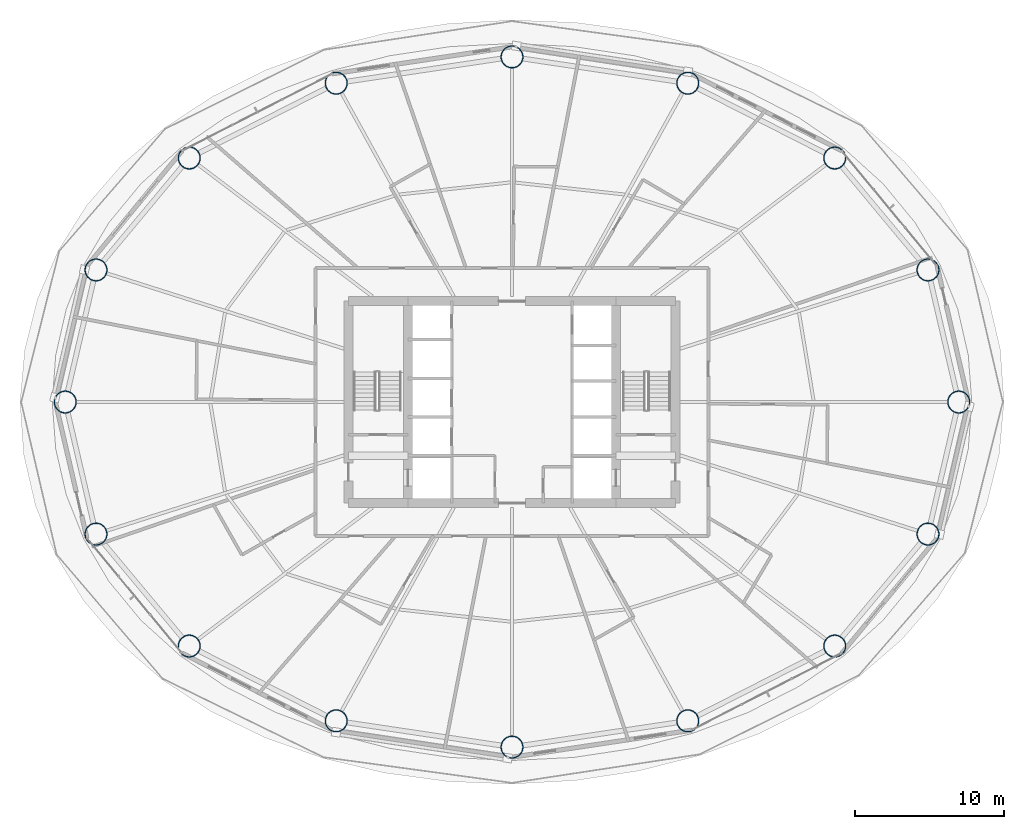
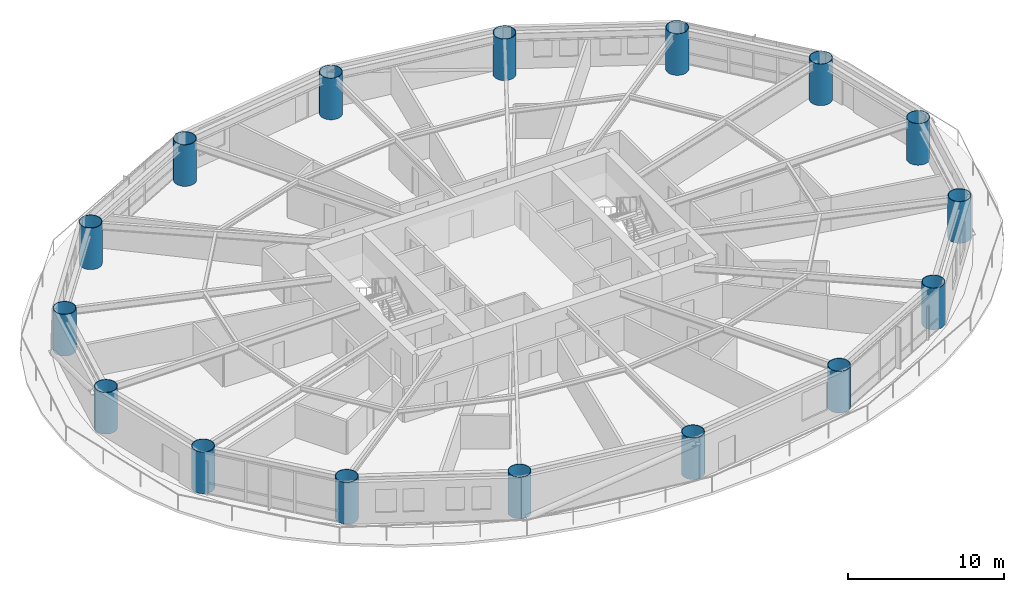
# One storey, part 1 of 27: 16 columns.
"""IFC4 building model written with IfcOpenShell, lengths in metres."""

from ifc_helpers import new_model, si_unit, direction, frame, origin, origin_2d, place, context, subcontext, project, spatial, hollow_circle, extrude, material, material_profile, profile_set, type_object, element, save


model = new_model("IFC4")

# Units and contexts
model_context = context("Model", 3, precision=1e-05, world=origin(), true_north=direction((0.0, 1.0)))
body_context = subcontext(model_context, "Body", "Model", "MODEL_VIEW")
ifc_project = project(units=[si_unit("LENGTHUNIT", "METRE"), si_unit("AREAUNIT", "SQUARE_METRE"), si_unit("VOLUMEUNIT", "CUBIC_METRE"), si_unit("PLANEANGLEUNIT", "RADIAN"), si_unit("MASSUNIT", "GRAM", prefix="KILO")], contexts=[model_context])

# Site, building, storey
site_placement = place(None, origin())
site = spatial("IfcSite", under=ifc_project, at=site_placement, CompositionType="ELEMENT")
building_placement = place(site_placement, origin())
building = spatial("IfcBuilding", under=site, at=building_placement, Name="Sarneth Arch Tower", CompositionType="ELEMENT")
storey_placement = place(building_placement, frame((0.0, 0.0, 75.0)))
storey = spatial("IfcBuildingStorey", under=building, at=storey_placement, Name="L18", CompositionType="ELEMENT", Elevation=75.0)

# Columns
ifc_material = material(Name="Steel S355", Category="steel")
ifc_material_profile = material_profile(ifc_material, hollow_circle(Radius=0.75, WallThickness=0.0400390625, at=origin_2d()), Name="CHS1500x40")
ifc_profile_set = profile_set([ifc_material_profile], Name="Steel S355")
column_type = type_object("IfcColumnType", Name="COL-MEGA-1500", PredefinedType="COLUMN", material=ifc_profile_set)
for number, where, z_axis, x_axis, name in (
    (1, (78.034912109375, 42.0, 0.0), (0.0, 0.0, 1.0), (1.0, 0.0, 0.0), "L18 Perimeter mega-column M01"),
    (2, (75.965576171875, 50.878173828125, 0.0), (0.0, 0.0, 1.0), (1.0, 0.0, 0.0), "L18 Perimeter mega-column M02"),
    (3, (69.696533203125, 58.40478515625, 0.0), (0.0, 0.0, 1.0), (1.0, 0.0, 0.0), "L18 Perimeter mega-column M03"),
    (4, (59.81787109375, 63.43408203125, 0.0), (0.0, 0.0, 1.0), (1.0, 0.0, 0.0), "L18 Perimeter mega-column M04"),
    (5, (48.0, 65.199951171875, 0.0), (0.0, 0.0, 1.0), (1.0, 0.0, 0.0), "L18 Perimeter mega-column M05"),
    (6, (36.18212890625, 63.43408203125, 0.0), (0.0, 0.0, 1.0), (1.0, 0.0, 0.0), "L18 Perimeter mega-column M06"),
    (7, (26.303466796875, 58.40478515625, 0.0), (0.0, 0.0, 1.0), (1.0, 0.0, 0.0), "L18 Perimeter mega-column M07"),
    (8, (20.034423828125, 50.878173828125, 0.0), (0.0, 0.0, 1.0), (1.0, 0.0, 0.0), "L18 Perimeter mega-column M08"),
    (9, (17.965087890625, 42.0, 0.0), (0.0, 0.0, 1.0), (1.0, 0.0, 0.0), "L18 Perimeter mega-column M09"),
    (10, (20.034423828125, 33.121826171875, 0.0), (0.0, 0.0, 1.0), (1.0, 0.0, 0.0), "L18 Perimeter mega-column M10"),
    (11, (26.303466796875, 25.59521484375, 0.0), (0.0, 0.0, 1.0), (1.0, 0.0, 0.0), "L18 Perimeter mega-column M11"),
    (12, (36.18212890625, 20.56591796875, 0.0), (0.0, 0.0, 1.0), (1.0, 0.0, 0.0), "L18 Perimeter mega-column M12"),
    (13, (48.0, 18.800048828125, 0.0), (0.0, 0.0, 1.0), (1.0, 0.0, 0.0), "L18 Perimeter mega-column M13"),
    (14, (59.81787109375, 20.56591796875, 0.0), (0.0, 0.0, 1.0), (1.0, 0.0, 0.0), "L18 Perimeter mega-column M14"),
    (15, (69.696533203125, 25.59521484375, 0.0), (0.0, 0.0, 1.0), (1.0, 0.0, 0.0), "L18 Perimeter mega-column M15"),
    (16, (75.965576171875, 33.121826171875, 0.0), (0.0, 0.0, 1.0), (1.0, 0.0, 0.0), "L18 Perimeter mega-column M16"),
):
    element("IfcColumn", number, at=place(storey_placement, frame(where, z_axis=z_axis, x_axis=x_axis)), inside=storey, type_object=column_type, Name=name, PredefinedType="COLUMN", context=body_context, shape_type="SweptSolid", body=[
        extrude(hollow_circle(Radius=0.75, WallThickness=0.0400390625, at=origin_2d()), origin(), (0.0, 0.0, 1.0), 3.25),
    ])

save(model, "model.ifc")
